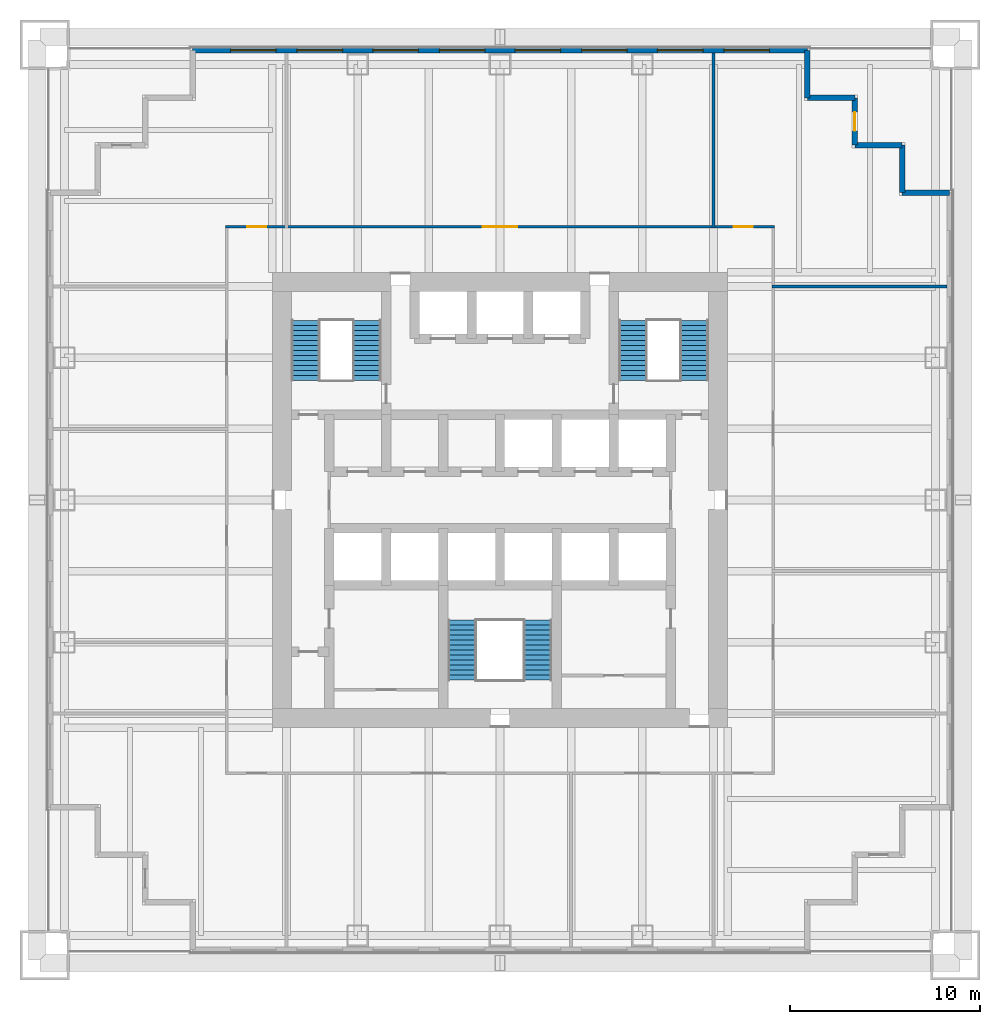
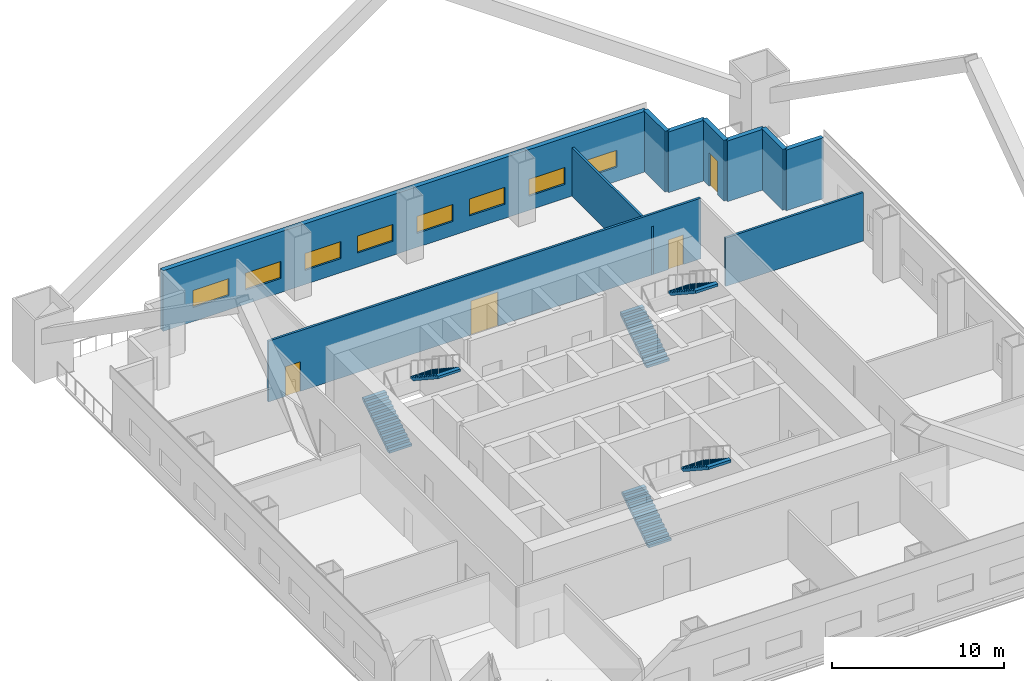
# One storey, part 5 of 6: 10 walls, 8 windows, 6 stair flights, 4 doors, 12 openings, 3 elements without a shape of their own.
"""IFC4 building model written with IfcOpenShell, lengths in metres."""

from ifc_helpers import new_model, si_unit, direction, frame, frame_2d, origin, place, context, subcontext, project, spatial, polyline, rectangle, outline, extrude, material, layer, layer_set, type_object, element, fill, aggregate, save


model = new_model("IFC4")

# Units and contexts
model_context = context("Model", 3, precision=1e-05, world=origin(), true_north=direction((0.0, 1.0)))
body_context = subcontext(model_context, "Body", "Model", "MODEL_VIEW")
ifc_project = project(units=[si_unit("LENGTHUNIT", "METRE"), si_unit("AREAUNIT", "SQUARE_METRE"), si_unit("VOLUMEUNIT", "CUBIC_METRE"), si_unit("PLANEANGLEUNIT", "RADIAN"), si_unit("MASSUNIT", "GRAM", prefix="KILO")], contexts=[model_context])

# Site, building, storey
site_placement = place(None, origin())
site = spatial("IfcSite", under=ifc_project, at=site_placement, CompositionType="ELEMENT")
building_placement = place(site_placement, origin())
building = spatial("IfcBuilding", under=site, at=building_placement, Name="Tarangal Relay Tower", CompositionType="ELEMENT")
storey_placement = place(building_placement, frame((0.0, 0.0, 135.89990234375)))
storey = spatial("IfcBuildingStorey", under=building, at=storey_placement, Name="L27", CompositionType="ELEMENT", Elevation=135.89990234375)

# Wall, openings, windows
ifc_material_1 = material(Name="Insulated precast concrete fc' 40 MPa", Category="concrete")
ifc_layer_1 = layer(ifc_material_1, 0.300048828125)
ifc_layer_set_1 = layer_set([ifc_layer_1], Name="Insulated precast concrete fc' 40 MPa")
wall_type_1 = type_object("IfcWallType", Name="Facade wall precast 300", PredefinedType="SOLIDWALL", material=ifc_layer_set_1)
wall_1_placement = place(storey_placement, frame((-16.199951171875, 23.699951171875, 0.0), z_axis=(0.0, 0.0, 1.0), x_axis=(1.0, 0.0, 0.0)))
wall_1 = element("IfcWall", 1, at=wall_1_placement, inside=storey, type_object=wall_type_1, Name="Facade wall N facade L27", PredefinedType="SOLIDWALL", context=body_context, shape_type="SweptSolid", body=[
    extrude(rectangle(XDim=32.39990234375, YDim=0.300048828125, at=frame_2d((16.199951171875, 0.0))), origin(), (0.0, 0.0, 1.0), 4.300048828125),
])
opening_1_placement = place(wall_1_placement, frame((2.0, 0.0, 1.0)))
opening_1 = element("IfcOpeningElement", 2, at=opening_1_placement, cuts=wall_1, Name="Opening WN1", PredefinedType="OPENING", context=body_context, shape_type="SweptSolid", body=[
    extrude(rectangle(XDim=2.39990234375, YDim=1.199951171875, at=frame_2d((1.199951171875, 0.60009765625))), frame((0.0, 0.159912109375, 0.0), z_axis=(0.0, -1.0, 0.0), x_axis=(1.0, 0.0, 0.0)), (0.0, 0.0, 1.0), 0.320068359375),
])
opening_2_placement = place(wall_1_placement, frame((5.5, 0.0, 1.0)))
opening_2 = element("IfcOpeningElement", 3, at=opening_2_placement, cuts=wall_1, Name="Opening WN1", PredefinedType="OPENING", context=body_context, shape_type="SweptSolid", body=[
    extrude(rectangle(XDim=2.39990234375, YDim=1.199951171875, at=frame_2d((1.199951171875, 0.60009765625))), frame((0.0, 0.159912109375, 0.0), z_axis=(0.0, -1.0, 0.0), x_axis=(1.0, 0.0, 0.0)), (0.0, 0.0, 1.0), 0.320068359375),
])
opening_3_placement = place(wall_1_placement, frame((9.5, 0.0, 1.0)))
opening_3 = element("IfcOpeningElement", 4, at=opening_3_placement, cuts=wall_1, Name="Opening WN1", PredefinedType="OPENING", context=body_context, shape_type="SweptSolid", body=[
    extrude(rectangle(XDim=2.39990234375, YDim=1.199951171875, at=frame_2d((1.199951171875, 0.60009765625))), frame((0.0, 0.159912109375, 0.0), z_axis=(0.0, -1.0, 0.0), x_axis=(1.0, 0.0, 0.0)), (0.0, 0.0, 1.0), 0.320068359375),
])
opening_4_placement = place(wall_1_placement, frame((13.0, 0.0, 1.0)))
opening_4 = element("IfcOpeningElement", 5, at=opening_4_placement, cuts=wall_1, Name="Opening WN1", PredefinedType="OPENING", context=body_context, shape_type="SweptSolid", body=[
    extrude(rectangle(XDim=2.39990234375, YDim=1.199951171875, at=frame_2d((1.199951171875, 0.60009765625))), frame((0.0, 0.159912109375, 0.0), z_axis=(0.0, -1.0, 0.0), x_axis=(1.0, 0.0, 0.0)), (0.0, 0.0, 1.0), 0.320068359375),
])
opening_5_placement = place(wall_1_placement, frame((17.0, 0.0, 1.0)))
opening_5 = element("IfcOpeningElement", 6, at=opening_5_placement, cuts=wall_1, Name="Opening WN1", PredefinedType="OPENING", context=body_context, shape_type="SweptSolid", body=[
    extrude(rectangle(XDim=2.39990234375, YDim=1.199951171875, at=frame_2d((1.199951171875, 0.60009765625))), frame((0.0, 0.159912109375, 0.0), z_axis=(0.0, -1.0, 0.0), x_axis=(1.0, 0.0, 0.0)), (0.0, 0.0, 1.0), 0.320068359375),
])
opening_6_placement = place(wall_1_placement, frame((20.5, 0.0, 1.0)))
opening_6 = element("IfcOpeningElement", 7, at=opening_6_placement, cuts=wall_1, Name="Opening WN1", PredefinedType="OPENING", context=body_context, shape_type="SweptSolid", body=[
    extrude(rectangle(XDim=2.39990234375, YDim=1.199951171875, at=frame_2d((1.199951171875, 0.60009765625))), frame((0.0, 0.159912109375, 0.0), z_axis=(0.0, -1.0, 0.0), x_axis=(1.0, 0.0, 0.0)), (0.0, 0.0, 1.0), 0.320068359375),
])
opening_7_placement = place(wall_1_placement, frame((24.5, 0.0, 1.0)))
opening_7 = element("IfcOpeningElement", 8, at=opening_7_placement, cuts=wall_1, Name="Opening WN1", PredefinedType="OPENING", context=body_context, shape_type="SweptSolid", body=[
    extrude(rectangle(XDim=2.39990234375, YDim=1.199951171875, at=frame_2d((1.199951171875, 0.60009765625))), frame((0.0, 0.159912109375, 0.0), z_axis=(0.0, -1.0, 0.0), x_axis=(1.0, 0.0, 0.0)), (0.0, 0.0, 1.0), 0.320068359375),
])
opening_8_placement = place(wall_1_placement, frame((28.0, 0.0, 1.0)))
opening_8 = element("IfcOpeningElement", 9, at=opening_8_placement, cuts=wall_1, Name="Opening WN1", PredefinedType="OPENING", context=body_context, shape_type="SweptSolid", body=[
    extrude(rectangle(XDim=2.39990234375, YDim=1.199951171875, at=frame_2d((1.199951171875, 0.60009765625))), frame((0.0, 0.159912109375, 0.0), z_axis=(0.0, -1.0, 0.0), x_axis=(1.0, 0.0, 0.0)), (0.0, 0.0, 1.0), 0.320068359375),
])
ifc_material_2 = material(Name="Dark tinted double glazing in black aluminium frame", Category="aluminium")
window_type = type_object("IfcWindowType", Name="Ribbon window 2400 x 1200", PartitioningType="SINGLE_PANEL", PredefinedType="WINDOW", material=ifc_material_2)
window_1_placement = place(opening_1_placement, origin())
window_1 = element("IfcWindow", 10, at=window_1_placement, inside=storey, type_object=window_type, Name="Ribbon window WN1 N facade L27", OverallHeight=1.199951171875, OverallWidth=2.39990234375, PartitioningType="SINGLE_PANEL", PredefinedType="WINDOW", context=body_context, shape_type="SweptSolid", body=[
    extrude(rectangle(XDim=2.39990234375, YDim=1.199951171875, at=frame_2d((1.199951171875, 0.60009765625))), frame((0.0, 0.030029296875, 0.0), z_axis=(0.0, -1.0, 0.0), x_axis=(1.0, 0.0, 0.0)), (0.0, 0.0, 1.0), 0.06005859375),
])
fill(opening_1, window_1)
window_2_placement = place(opening_2_placement, origin())
window_2 = element("IfcWindow", 11, at=window_2_placement, inside=storey, type_object=window_type, Name="Ribbon window WN1 N facade L27", OverallHeight=1.199951171875, OverallWidth=2.39990234375, PartitioningType="SINGLE_PANEL", PredefinedType="WINDOW", context=body_context, shape_type="SweptSolid", body=[
    extrude(rectangle(XDim=2.39990234375, YDim=1.199951171875, at=frame_2d((1.199951171875, 0.60009765625))), frame((0.0, 0.030029296875, 0.0), z_axis=(0.0, -1.0, 0.0), x_axis=(1.0, 0.0, 0.0)), (0.0, 0.0, 1.0), 0.06005859375),
])
fill(opening_2, window_2)
window_3_placement = place(opening_3_placement, origin())
window_3 = element("IfcWindow", 12, at=window_3_placement, inside=storey, type_object=window_type, Name="Ribbon window WN1 N facade L27", OverallHeight=1.199951171875, OverallWidth=2.39990234375, PartitioningType="SINGLE_PANEL", PredefinedType="WINDOW", context=body_context, shape_type="SweptSolid", body=[
    extrude(rectangle(XDim=2.39990234375, YDim=1.199951171875, at=frame_2d((1.199951171875, 0.60009765625))), frame((0.0, 0.030029296875, 0.0), z_axis=(0.0, -1.0, 0.0), x_axis=(1.0, 0.0, 0.0)), (0.0, 0.0, 1.0), 0.06005859375),
])
fill(opening_3, window_3)
window_4_placement = place(opening_4_placement, origin())
window_4 = element("IfcWindow", 13, at=window_4_placement, inside=storey, type_object=window_type, Name="Ribbon window WN1 N facade L27", OverallHeight=1.199951171875, OverallWidth=2.39990234375, PartitioningType="SINGLE_PANEL", PredefinedType="WINDOW", context=body_context, shape_type="SweptSolid", body=[
    extrude(rectangle(XDim=2.39990234375, YDim=1.199951171875, at=frame_2d((1.199951171875, 0.60009765625))), frame((0.0, 0.030029296875, 0.0), z_axis=(0.0, -1.0, 0.0), x_axis=(1.0, 0.0, 0.0)), (0.0, 0.0, 1.0), 0.06005859375),
])
fill(opening_4, window_4)
window_5_placement = place(opening_5_placement, origin())
window_5 = element("IfcWindow", 14, at=window_5_placement, inside=storey, type_object=window_type, Name="Ribbon window WN1 N facade L27", OverallHeight=1.199951171875, OverallWidth=2.39990234375, PartitioningType="SINGLE_PANEL", PredefinedType="WINDOW", context=body_context, shape_type="SweptSolid", body=[
    extrude(rectangle(XDim=2.39990234375, YDim=1.199951171875, at=frame_2d((1.199951171875, 0.60009765625))), frame((0.0, 0.030029296875, 0.0), z_axis=(0.0, -1.0, 0.0), x_axis=(1.0, 0.0, 0.0)), (0.0, 0.0, 1.0), 0.06005859375),
])
fill(opening_5, window_5)
window_6_placement = place(opening_6_placement, origin())
window_6 = element("IfcWindow", 15, at=window_6_placement, inside=storey, type_object=window_type, Name="Ribbon window WN1 N facade L27", OverallHeight=1.199951171875, OverallWidth=2.39990234375, PartitioningType="SINGLE_PANEL", PredefinedType="WINDOW", context=body_context, shape_type="SweptSolid", body=[
    extrude(rectangle(XDim=2.39990234375, YDim=1.199951171875, at=frame_2d((1.199951171875, 0.60009765625))), frame((0.0, 0.030029296875, 0.0), z_axis=(0.0, -1.0, 0.0), x_axis=(1.0, 0.0, 0.0)), (0.0, 0.0, 1.0), 0.06005859375),
])
fill(opening_6, window_6)
window_7_placement = place(opening_7_placement, origin())
window_7 = element("IfcWindow", 16, at=window_7_placement, inside=storey, type_object=window_type, Name="Ribbon window WN1 N facade L27", OverallHeight=1.199951171875, OverallWidth=2.39990234375, PartitioningType="SINGLE_PANEL", PredefinedType="WINDOW", context=body_context, shape_type="SweptSolid", body=[
    extrude(rectangle(XDim=2.39990234375, YDim=1.199951171875, at=frame_2d((1.199951171875, 0.60009765625))), frame((0.0, 0.030029296875, 0.0), z_axis=(0.0, -1.0, 0.0), x_axis=(1.0, 0.0, 0.0)), (0.0, 0.0, 1.0), 0.06005859375),
])
fill(opening_7, window_7)
window_8_placement = place(opening_8_placement, origin())
window_8 = element("IfcWindow", 17, at=window_8_placement, inside=storey, type_object=window_type, Name="Ribbon window WN1 N facade L27", OverallHeight=1.199951171875, OverallWidth=2.39990234375, PartitioningType="SINGLE_PANEL", PredefinedType="WINDOW", context=body_context, shape_type="SweptSolid", body=[
    extrude(rectangle(XDim=2.39990234375, YDim=1.199951171875, at=frame_2d((1.199951171875, 0.60009765625))), frame((0.0, 0.030029296875, 0.0), z_axis=(0.0, -1.0, 0.0), x_axis=(1.0, 0.0, 0.0)), (0.0, 0.0, 1.0), 0.06005859375),
])
fill(opening_8, window_8)

# Walls
for number, where, z_axis, x_axis, name in (
    (18, (16.199951171875, 23.699951171875, 0.0), (0.0, 0.0, 1.0), (0.0, -1.0, 0.0), "Facade wall N facade L27"),
    (19, (16.199951171875, 21.199951171875, 0.0), (0.0, 0.0, 1.0), (1.0, 0.0, 0.0), "Facade wall N facade L27"),
):
    element("IfcWall", number, at=place(storey_placement, frame(where, z_axis=z_axis, x_axis=x_axis)), inside=storey, type_object=wall_type_1, Name=name, PredefinedType="SOLIDWALL", context=body_context, shape_type="SweptSolid", body=[
        extrude(rectangle(XDim=2.5, YDim=0.300048828125, at=frame_2d((1.25, 0.0))), origin(), (0.0, 0.0, 1.0), 4.300048828125),
    ])

# Wall, opening, door
wall_2_placement = place(storey_placement, frame((18.699951171875, 21.199951171875, 0.0), z_axis=(0.0, 0.0, 1.0), x_axis=(0.0, -1.0, 0.0)))
wall_2 = element("IfcWall", 20, at=wall_2_placement, inside=storey, type_object=wall_type_1, Name="Facade wall N facade L27", PredefinedType="SOLIDWALL", context=body_context, shape_type="SweptSolid", body=[
    extrude(rectangle(XDim=2.5, YDim=0.300048828125, at=frame_2d((1.25, 0.0))), origin(), (0.0, 0.0, 1.0), 4.300048828125),
])
opening_9_placement = place(wall_2_placement, frame((0.75, 0.0, 0.0)))
opening_9 = element("IfcOpeningElement", 21, at=opening_9_placement, cuts=wall_2, Name="Opening TD1", PredefinedType="OPENING", context=body_context, shape_type="SweptSolid", body=[
    extrude(rectangle(XDim=1.0, YDim=2.39990234375, at=frame_2d((0.5, 1.199951171875))), frame((0.0, 0.159912109375, 0.0), z_axis=(0.0, -1.0, 0.0), x_axis=(1.0, 0.0, 0.0)), (0.0, 0.0, 1.0), 0.320068359375),
])
ifc_material_3 = material(Name="Aluminium glazed door", Category="aluminium")
door_type_1 = type_object("IfcDoorType", Name="Terrace door 1000 x 2400", OperationType="SINGLE_SWING_RIGHT", PredefinedType="DOOR", material=ifc_material_3)
door_1_placement = place(opening_9_placement, origin())
door_1 = element("IfcDoor", 22, at=door_1_placement, inside=storey, type_object=door_type_1, Name="Terrace door TD1 NE L27", OperationType="SINGLE_SWING_RIGHT", OverallHeight=2.39990234375, OverallWidth=1.0, PredefinedType="DOOR", context=body_context, shape_type="SweptSolid", body=[
    extrude(rectangle(XDim=1.0, YDim=2.39990234375, at=frame_2d((0.5, 1.199951171875))), frame((0.0, 0.02490234375, 0.0), z_axis=(0.0, -1.0, 0.0), x_axis=(1.0, 0.0, 0.0)), (0.0, 0.0, 1.0), 0.050048828125),
])
fill(opening_9, door_1)

# Walls
for number, where, z_axis, x_axis, name in (
    (23, (18.699951171875, 18.699951171875, 0.0), (0.0, 0.0, 1.0), (1.0, 0.0, 0.0), "Facade wall N facade L27"),
    (24, (21.199951171875, 18.699951171875, 0.0), (0.0, 0.0, 1.0), (0.0, -1.0, 0.0), "Facade wall N facade L27"),
    (25, (21.199951171875, 16.199951171875, 0.0), (0.0, 0.0, 1.0), (1.0, 0.0, 0.0), "Facade wall N facade L27"),
):
    element("IfcWall", number, at=place(storey_placement, frame(where, z_axis=z_axis, x_axis=x_axis)), inside=storey, type_object=wall_type_1, Name=name, PredefinedType="SOLIDWALL", context=body_context, shape_type="SweptSolid", body=[
        extrude(rectangle(XDim=2.5, YDim=0.300048828125, at=frame_2d((1.25, 0.0))), origin(), (0.0, 0.0, 1.0), 4.300048828125),
    ])
ifc_material_4 = material(Name="Gypsum board on steel studs", Category="steel")
ifc_layer_2 = layer(ifc_material_4, 0.14990234375)
ifc_layer_set_2 = layer_set([ifc_layer_2], Name="Partition 150")
wall_type_2 = type_object("IfcWallType", Name="Partition 150", PredefinedType="PARTITIONING", material=ifc_layer_set_2)
wall_3_placement = place(storey_placement, frame((14.324951171875, 11.25, 0.0), z_axis=(0.0, 0.0, 1.0), x_axis=(1.0, 0.0, 0.0)))
element("IfcWall", 26, at=wall_3_placement, inside=storey, type_object=wall_type_2, Name="Partition PT1 L27", PredefinedType="PARTITIONING", context=body_context, shape_type="SweptSolid", body=[
    extrude(rectangle(XDim=9.22509765625, YDim=0.14990234375, at=frame_2d((4.612548828125, 0.0))), origin(), (0.0, 0.0, 1.0), 3.431396484375),
])

# Wall, openings, doors
wall_4_placement = place(storey_placement, frame((-14.47509765625, 14.39990234375, 0.0), z_axis=(0.0, 0.0, 1.0), x_axis=(1.0, 0.0, 0.0)))
wall_4 = element("IfcWall", 27, at=wall_4_placement, inside=storey, type_object=wall_type_2, Name="Partition PT1 L27", PredefinedType="PARTITIONING", context=body_context, shape_type="SweptSolid", body=[
    extrude(rectangle(XDim=28.9501953125, YDim=0.14990234375, at=frame_2d((14.47509765625, 0.0))), origin(), (0.0, 0.0, 1.0), 4.300048828125),
])
opening_10_placement = place(wall_4_placement, frame((13.574951171875, 0.0, 0.0)))
opening_10 = element("IfcOpeningElement", 28, at=opening_10_placement, cuts=wall_4, Name="Opening DD1", PredefinedType="OPENING", context=body_context, shape_type="SweptSolid", body=[
    extrude(rectangle(XDim=1.800048828125, YDim=2.39990234375, at=frame_2d((0.89990234375, 1.199951171875))), frame((0.0, 0.0849609375, 0.0), z_axis=(0.0, -1.0, 0.0), x_axis=(1.0, 0.0, 0.0)), (0.0, 0.0, 1.0), 0.169921875),
])
opening_11_placement = place(wall_4_placement, frame((26.800048828125, 0.0, 0.0)))
opening_11 = element("IfcOpeningElement", 29, at=opening_11_placement, cuts=wall_4, Name="Opening D2", PredefinedType="OPENING", context=body_context, shape_type="SweptSolid", body=[
    extrude(rectangle(XDim=1.0, YDim=2.10009765625, at=frame_2d((0.5, 1.050048828125))), frame((0.0, 0.0849609375, 0.0), z_axis=(0.0, -1.0, 0.0), x_axis=(1.0, 0.0, 0.0)), (0.0, 0.0, 1.0), 0.169921875),
])
opening_12_placement = place(wall_4_placement, frame((1.14990234375, 0.0, 0.0)))
opening_12 = element("IfcOpeningElement", 30, at=opening_12_placement, cuts=wall_4, Name="Opening D2", PredefinedType="OPENING", context=body_context, shape_type="SweptSolid", body=[
    extrude(rectangle(XDim=1.0, YDim=2.10009765625, at=frame_2d((0.5, 1.050048828125))), frame((0.0, 0.0849609375, 0.0), z_axis=(0.0, -1.0, 0.0), x_axis=(1.0, 0.0, 0.0)), (0.0, 0.0, 1.0), 0.169921875),
])
ifc_material_5 = material(Name="Hardwood door", Category="wood")
door_type_2 = type_object("IfcDoorType", Name="Door 1000 x 2100", OperationType="SINGLE_SWING_LEFT", PredefinedType="DOOR", material=ifc_material_5)
door_2_placement = place(opening_11_placement, origin())
door_2 = element("IfcDoor", 31, at=door_2_placement, inside=storey, type_object=door_type_2, Name="Door D2 to test lab L27-10", OperationType="SINGLE_SWING_LEFT", OverallHeight=2.10009765625, OverallWidth=1.0, PredefinedType="DOOR", context=body_context, shape_type="SweptSolid", body=[
    extrude(rectangle(XDim=1.0, YDim=2.10009765625, at=frame_2d((0.5, 1.050048828125))), frame((0.0, 0.02490234375, 0.0), z_axis=(0.0, -1.0, 0.0), x_axis=(1.0, 0.0, 0.0)), (0.0, 0.0, 1.0), 0.050048828125),
])
fill(opening_11, door_2)
door_3_placement = place(opening_12_placement, origin())
door_3 = element("IfcDoor", 32, at=door_3_placement, inside=storey, type_object=door_type_2, Name="Door D2 to rack staging room L27-13", OperationType="SINGLE_SWING_LEFT", OverallHeight=2.10009765625, OverallWidth=1.0, PredefinedType="DOOR", context=body_context, shape_type="SweptSolid", body=[
    extrude(rectangle(XDim=1.0, YDim=2.10009765625, at=frame_2d((0.5, 1.050048828125))), frame((0.0, 0.02490234375, 0.0), z_axis=(0.0, -1.0, 0.0), x_axis=(1.0, 0.0, 0.0)), (0.0, 0.0, 1.0), 0.050048828125),
])
fill(opening_12, door_3)
ifc_material_6 = material(Name="Steel door with hardwood frame", Category="steel")
door_type_3 = type_object("IfcDoorType", Name="Equipment double door 1800 x 2400", OperationType="DOUBLE_DOOR_SINGLE_SWING", PredefinedType="DOOR", material=ifc_material_6)
door_4_placement = place(opening_10_placement, origin())
door_4 = element("IfcDoor", 33, at=door_4_placement, inside=storey, type_object=door_type_3, Name="Door DD1 to telecom equipment room L27-02", OperationType="DOUBLE_DOOR_SINGLE_SWING", OverallHeight=2.39990234375, OverallWidth=1.800048828125, PredefinedType="DOOR", context=body_context, shape_type="SweptSolid", body=[
    extrude(rectangle(XDim=1.800048828125, YDim=2.39990234375, at=frame_2d((0.89990234375, 1.199951171875))), frame((0.0, 0.02490234375, 0.0), z_axis=(0.0, -1.0, 0.0), x_axis=(1.0, 0.0, 0.0)), (0.0, 0.0, 1.0), 0.050048828125),
])
fill(opening_10, door_4)

# Wall
wall_5_placement = place(storey_placement, frame((11.25, 14.324951171875, 0.0), z_axis=(0.0, 0.0, 1.0), x_axis=(0.0, 1.0, 0.0)))
element("IfcWall", 34, at=wall_5_placement, inside=storey, type_object=wall_type_2, Name="Partition PT1 L27", PredefinedType="PARTITIONING", context=body_context, shape_type="SweptSolid", body=[
    extrude(rectangle(XDim=9.22509765625, YDim=0.14990234375, at=frame_2d((4.612548828125, 0.0))), origin(), (0.0, 0.0, 1.0), 3.431396484375),
])

# Stair, stair flights
ifc_material_7 = material(Name="Steel ASTM A992 stair flight", Category="steel")
stair_type = type_object("IfcStairType", Name="Core stair 1500", PredefinedType="HALF_TURN_STAIR", material=ifc_material_7)
stair_1_placement = place(storey_placement, origin())
stair_1 = element("IfcStair", 35, at=stair_1_placement, inside=storey, type_object=stair_type, Name="Stair ST-A L27", PredefinedType="HALF_TURN_STAIR")
stair_flight_type = type_object("IfcStairFlightType", Name="Steel stair flight 1500, 13 risers 173 x 264", PredefinedType="STRAIGHT", material=ifc_material_7)
stair_flight_1_placement = place(storey_placement, frame((-10.25, 6.300048828125, 0.0), z_axis=(0.0, 0.0, 1.0), x_axis=(0.0, 1.0, 0.0)))
stair_flight_1 = element("IfcStairFlight", 36, at=stair_flight_1_placement, type_object=stair_flight_type, Name="ST-A flight 1", NumberOfRisers=13, NumberOfTreads=12, PredefinedType="STRAIGHT", RiserHeight=0.173076923, TreadLength=0.264, context=body_context, shape_type="SweptSolid", body=[
    extrude(outline(polyline([(0.0, 0.0), (0.0, 0.173095703125), (0.263916015625, 0.173095703125), (0.263916015625, 0.34619140625), (0.528076171875, 0.34619140625), (0.528076171875, 0.519287109375), (0.7919921875, 0.519287109375), (0.7919921875, 0.6923828125), (1.055908203125, 0.6923828125), (1.055908203125, 0.865478515625), (1.320068359375, 0.865478515625), (1.320068359375, 1.03857421875), (1.583984375, 1.03857421875), (1.583984375, 1.21142578125), (1.847900390625, 1.21142578125), (1.847900390625, 1.384521484375), (2.112060546875, 1.384521484375), (2.112060546875, 1.5576171875), (2.3759765625, 1.5576171875), (2.3759765625, 1.730712890625), (2.639892578125, 1.730712890625), (2.639892578125, 1.90380859375), (2.904052734375, 1.90380859375), (2.904052734375, 2.076904296875), (3.16796875, 2.076904296875), (3.16796875, 2.25), (3.16796875, 1.897705078125), (0.2734375, 0.0), (0.0, 0.0)])), frame((0.0, 0.75, 0.0), z_axis=(0.0, -1.0, 0.0), x_axis=(1.0, 0.0, 0.0)), (0.0, 0.0, 1.0), 1.5),
])
stair_flight_2_placement = place(storey_placement, frame((-7.0, 9.468017578125, 2.25), z_axis=(0.0, 0.0, 1.0), x_axis=(0.0, -1.0, 0.0)))
stair_flight_2 = element("IfcStairFlight", 37, at=stair_flight_2_placement, type_object=stair_flight_type, Name="ST-A flight 2", NumberOfRisers=13, NumberOfTreads=12, PredefinedType="STRAIGHT", RiserHeight=0.173076923, TreadLength=0.264, context=body_context, shape_type="SweptSolid", body=[
    extrude(outline(polyline([(0.0, 0.0), (0.0, 0.173095703125), (0.263916015625, 0.173095703125), (0.263916015625, 0.34619140625), (0.528076171875, 0.34619140625), (0.528076171875, 0.519287109375), (0.7919921875, 0.519287109375), (0.7919921875, 0.6923828125), (1.055908203125, 0.6923828125), (1.055908203125, 0.865478515625), (1.320068359375, 0.865478515625), (1.320068359375, 1.03857421875), (1.583984375, 1.03857421875), (1.583984375, 1.21142578125), (1.847900390625, 1.21142578125), (1.847900390625, 1.384521484375), (2.112060546875, 1.384521484375), (2.112060546875, 1.5576171875), (2.3759765625, 1.5576171875), (2.3759765625, 1.730712890625), (2.639892578125, 1.730712890625), (2.639892578125, 1.90380859375), (2.904052734375, 1.90380859375), (2.904052734375, 2.076904296875), (3.16796875, 2.076904296875), (3.16796875, 2.25), (3.16796875, 1.897705078125), (0.2734375, 0.0), (0.0, 0.0)])), frame((0.0, 0.75, 0.0), z_axis=(0.0, -1.0, 0.0), x_axis=(1.0, 0.0, 0.0)), (0.0, 0.0, 1.0), 1.5),
])
aggregate(stair_1, [stair_flight_1, stair_flight_2])

stair_2_placement = place(storey_placement, origin())
stair_2 = element("IfcStair", 38, at=stair_2_placement, inside=storey, type_object=stair_type, Name="Stair ST-B L27", PredefinedType="HALF_TURN_STAIR")
stair_flight_3_placement = place(storey_placement, frame((7.0, 6.300048828125, 0.0), z_axis=(0.0, 0.0, 1.0), x_axis=(0.0, 1.0, 0.0)))
stair_flight_3 = element("IfcStairFlight", 39, at=stair_flight_3_placement, type_object=stair_flight_type, Name="ST-B flight 1", NumberOfRisers=13, NumberOfTreads=12, PredefinedType="STRAIGHT", RiserHeight=0.173076923, TreadLength=0.264, context=body_context, shape_type="SweptSolid", body=[
    extrude(outline(polyline([(0.0, 0.0), (0.0, 0.173095703125), (0.263916015625, 0.173095703125), (0.263916015625, 0.34619140625), (0.528076171875, 0.34619140625), (0.528076171875, 0.519287109375), (0.7919921875, 0.519287109375), (0.7919921875, 0.6923828125), (1.055908203125, 0.6923828125), (1.055908203125, 0.865478515625), (1.320068359375, 0.865478515625), (1.320068359375, 1.03857421875), (1.583984375, 1.03857421875), (1.583984375, 1.21142578125), (1.847900390625, 1.21142578125), (1.847900390625, 1.384521484375), (2.112060546875, 1.384521484375), (2.112060546875, 1.5576171875), (2.3759765625, 1.5576171875), (2.3759765625, 1.730712890625), (2.639892578125, 1.730712890625), (2.639892578125, 1.90380859375), (2.904052734375, 1.90380859375), (2.904052734375, 2.076904296875), (3.16796875, 2.076904296875), (3.16796875, 2.25), (3.16796875, 1.897705078125), (0.2734375, 0.0), (0.0, 0.0)])), frame((0.0, 0.75, 0.0), z_axis=(0.0, -1.0, 0.0), x_axis=(1.0, 0.0, 0.0)), (0.0, 0.0, 1.0), 1.5),
])
stair_flight_4_placement = place(storey_placement, frame((10.25, 9.468017578125, 2.25), z_axis=(0.0, 0.0, 1.0), x_axis=(0.0, -1.0, 0.0)))
stair_flight_4 = element("IfcStairFlight", 40, at=stair_flight_4_placement, type_object=stair_flight_type, Name="ST-B flight 2", NumberOfRisers=13, NumberOfTreads=12, PredefinedType="STRAIGHT", RiserHeight=0.173076923, TreadLength=0.264, context=body_context, shape_type="SweptSolid", body=[
    extrude(outline(polyline([(0.0, 0.0), (0.0, 0.173095703125), (0.263916015625, 0.173095703125), (0.263916015625, 0.34619140625), (0.528076171875, 0.34619140625), (0.528076171875, 0.519287109375), (0.7919921875, 0.519287109375), (0.7919921875, 0.6923828125), (1.055908203125, 0.6923828125), (1.055908203125, 0.865478515625), (1.320068359375, 0.865478515625), (1.320068359375, 1.03857421875), (1.583984375, 1.03857421875), (1.583984375, 1.21142578125), (1.847900390625, 1.21142578125), (1.847900390625, 1.384521484375), (2.112060546875, 1.384521484375), (2.112060546875, 1.5576171875), (2.3759765625, 1.5576171875), (2.3759765625, 1.730712890625), (2.639892578125, 1.730712890625), (2.639892578125, 1.90380859375), (2.904052734375, 1.90380859375), (2.904052734375, 2.076904296875), (3.16796875, 2.076904296875), (3.16796875, 2.25), (3.16796875, 1.897705078125), (0.2734375, 0.0), (0.0, 0.0)])), frame((0.0, 0.75, 0.0), z_axis=(0.0, -1.0, 0.0), x_axis=(1.0, 0.0, 0.0)), (0.0, 0.0, 1.0), 1.5),
])
aggregate(stair_2, [stair_flight_3, stair_flight_4])

stair_3_placement = place(storey_placement, origin())
stair_3 = element("IfcStair", 41, at=stair_3_placement, inside=storey, type_object=stair_type, Name="Stair ST-C L27", PredefinedType="HALF_TURN_STAIR")
stair_flight_5_placement = place(storey_placement, frame((-2.0, -9.5, 0.0), z_axis=(0.0, 0.0, 1.0), x_axis=(0.0, 1.0, 0.0)))
stair_flight_5 = element("IfcStairFlight", 42, at=stair_flight_5_placement, type_object=stair_flight_type, Name="ST-C flight 1", NumberOfRisers=13, NumberOfTreads=12, PredefinedType="STRAIGHT", RiserHeight=0.173076923, TreadLength=0.264, context=body_context, shape_type="SweptSolid", body=[
    extrude(outline(polyline([(0.0, 0.0), (0.0, 0.173095703125), (0.263916015625, 0.173095703125), (0.263916015625, 0.34619140625), (0.528076171875, 0.34619140625), (0.528076171875, 0.519287109375), (0.7919921875, 0.519287109375), (0.7919921875, 0.6923828125), (1.055908203125, 0.6923828125), (1.055908203125, 0.865478515625), (1.320068359375, 0.865478515625), (1.320068359375, 1.03857421875), (1.583984375, 1.03857421875), (1.583984375, 1.21142578125), (1.847900390625, 1.21142578125), (1.847900390625, 1.384521484375), (2.112060546875, 1.384521484375), (2.112060546875, 1.5576171875), (2.3759765625, 1.5576171875), (2.3759765625, 1.730712890625), (2.639892578125, 1.730712890625), (2.639892578125, 1.90380859375), (2.904052734375, 1.90380859375), (2.904052734375, 2.076904296875), (3.16796875, 2.076904296875), (3.16796875, 2.25), (3.16796875, 1.897705078125), (0.2734375, 0.0), (0.0, 0.0)])), frame((0.0, 0.75, 0.0), z_axis=(0.0, -1.0, 0.0), x_axis=(1.0, 0.0, 0.0)), (0.0, 0.0, 1.0), 1.5),
])
stair_flight_6_placement = place(storey_placement, frame((2.0, -6.33203125, 2.25), z_axis=(0.0, 0.0, 1.0), x_axis=(0.0, -1.0, 0.0)))
stair_flight_6 = element("IfcStairFlight", 43, at=stair_flight_6_placement, type_object=stair_flight_type, Name="ST-C flight 2", NumberOfRisers=13, NumberOfTreads=12, PredefinedType="STRAIGHT", RiserHeight=0.173076923, TreadLength=0.264, context=body_context, shape_type="SweptSolid", body=[
    extrude(outline(polyline([(0.0, 0.0), (0.0, 0.173095703125), (0.263916015625, 0.173095703125), (0.263916015625, 0.34619140625), (0.528076171875, 0.34619140625), (0.528076171875, 0.519287109375), (0.7919921875, 0.519287109375), (0.7919921875, 0.6923828125), (1.055908203125, 0.6923828125), (1.055908203125, 0.865478515625), (1.320068359375, 0.865478515625), (1.320068359375, 1.03857421875), (1.583984375, 1.03857421875), (1.583984375, 1.21142578125), (1.847900390625, 1.21142578125), (1.847900390625, 1.384521484375), (2.112060546875, 1.384521484375), (2.112060546875, 1.5576171875), (2.3759765625, 1.5576171875), (2.3759765625, 1.730712890625), (2.639892578125, 1.730712890625), (2.639892578125, 1.90380859375), (2.904052734375, 1.90380859375), (2.904052734375, 2.076904296875), (3.16796875, 2.076904296875), (3.16796875, 2.25), (3.16796875, 1.897705078125), (0.2734375, 0.0), (0.0, 0.0)])), frame((0.0, 0.75, 0.0), z_axis=(0.0, -1.0, 0.0), x_axis=(1.0, 0.0, 0.0)), (0.0, 0.0, 1.0), 1.5),
])
aggregate(stair_3, [stair_flight_5, stair_flight_6])

save(model, "model.ifc")
